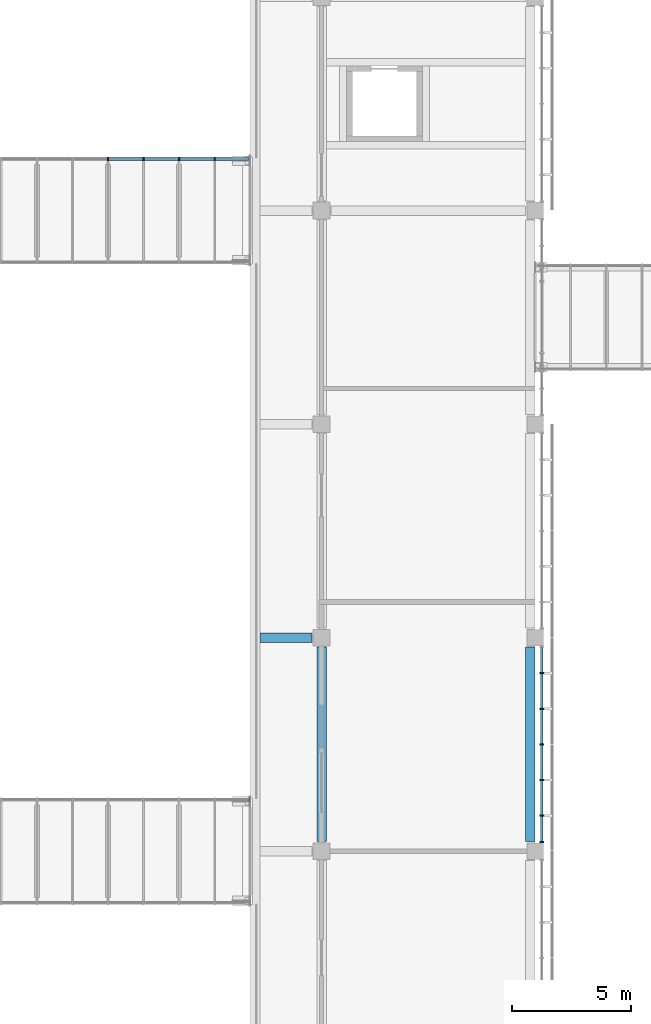
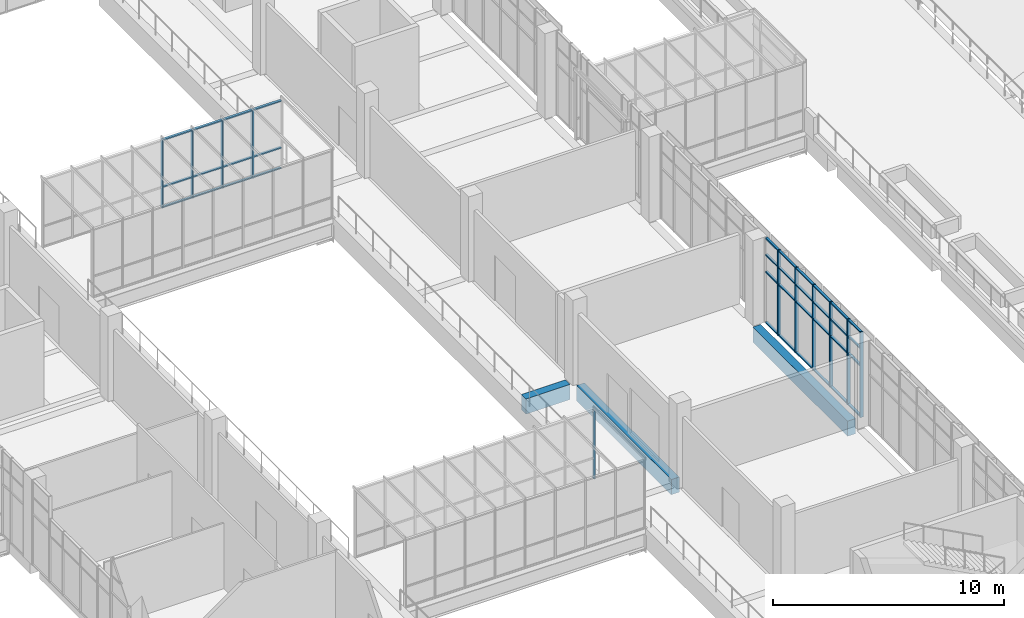
# One storey, part 22 of 106: 47 members, 3 beams, 3 elements without a shape of their own.
"""IFC4 building model written with IfcOpenShell, lengths in metres."""

from ifc_helpers import new_model, si_unit, direction, frame, origin, origin_2d, place, context, subcontext, project, spatial, rectangle, extrude, material, layer, layer_set, material_profile, profile_set, type_object, element, aggregate, save


model = new_model("IFC4")

# Units and contexts
model_context = context("Model", 3, precision=1e-05, world=origin(), true_north=direction((0.0, 1.0)))
body_context = subcontext(model_context, "Body", "Model", "MODEL_VIEW")
ifc_project = project(units=[si_unit("LENGTHUNIT", "METRE"), si_unit("AREAUNIT", "SQUARE_METRE"), si_unit("VOLUMEUNIT", "CUBIC_METRE"), si_unit("PLANEANGLEUNIT", "RADIAN"), si_unit("MASSUNIT", "GRAM", prefix="KILO")], contexts=[model_context])

# Site, building, storey
site_placement = place(None, origin())
site = spatial("IfcSite", under=ifc_project, at=site_placement, CompositionType="ELEMENT")
building_placement = place(site_placement, origin())
building = spatial("IfcBuilding", under=site, at=building_placement, Name="Guidao Yard Department Store", CompositionType="ELEMENT")
storey_placement = place(building_placement, frame((0.0, 0.0, 10.5)))
storey = spatial("IfcBuildingStorey", under=building, at=storey_placement, Name="L02", CompositionType="ELEMENT", Elevation=10.5)

# Beams
ifc_material_1 = material(Name="Concrete C40", Category="concrete")
ifc_material_profile_1 = material_profile(ifc_material_1, rectangle(XDim=0.39990234375, YDim=0.800048828125, at=origin_2d()), Name="Edge beam 400 x 800 C40")
ifc_profile_set_1 = profile_set([ifc_material_profile_1], Name="Concrete C40")
beam_type_1 = type_object("IfcBeamType", Name="Edge beam 400 x 800 C40", PredefinedType="BEAM", material=ifc_profile_set_1)
beam_1_placement = place(storey_placement, frame((99.0, 63.39990234375, -0.39990234375), z_axis=(0.0, 1.0, 0.0), x_axis=(-1.0, 0.0, 0.0)))
element("IfcBeam", 1, at=beam_1_placement, inside=storey, type_object=beam_type_1, Name="Beam EB51", PredefinedType="BEAM", context=body_context, shape_type="SweptSolid", body=[
    extrude(rectangle(XDim=0.39990234375, YDim=0.800048828125, at=origin_2d()), origin(), (0.0, 0.0, 1.0), 8.2001953125),
])
beam_2_placement = place(storey_placement, frame((96.39990234375, 72.0, -0.39990234375), z_axis=(1.0, 0.0, 0.0), x_axis=(0.0, 1.0, 0.0)))
element("IfcBeam", 2, at=beam_2_placement, inside=storey, type_object=beam_type_1, Name="Beam EB58", PredefinedType="BEAM", context=body_context, shape_type="SweptSolid", body=[
    extrude(rectangle(XDim=0.39990234375, YDim=0.800048828125, at=origin_2d()), origin(), (0.0, 0.0, 1.0), 2.2001953125),
])

# Curtain wall, members
ifc_material_2 = material(Name="Aluminium and glass", Category="aluminium")
ifc_layer_1 = layer(ifc_material_2, 0.159912109375)
ifc_layer_set_1 = layer_set([ifc_layer_1], Name="Shopfront curtain wall CW1 1500 module")
curtain_wall_type_1 = type_object("IfcCurtainWallType", Name="Shopfront curtain wall CW1 1500 module", PredefinedType="NOTDEFINED", material=ifc_layer_set_1)
curtain_wall_1_placement = place(storey_placement, origin())
curtain_wall_1 = element("IfcCurtainWall", 3, at=curtain_wall_1_placement, inside=storey, type_object=curtain_wall_type_1, Name="Arcade shop front", PredefinedType="NOTDEFINED")
ifc_material_3 = material(Name="Aluminium 6063-T5", Category="aluminium")
ifc_material_profile_2 = material_profile(ifc_material_3, rectangle(XDim=0.06005859375, YDim=0.159912109375, at=origin_2d()), Name="Mullion M1 60 x 160 aluminium pressure plate")
ifc_profile_set_2 = profile_set([ifc_material_profile_2], Name="Aluminium 6063-T5")
member_type_1 = type_object("IfcMemberType", Name="Mullion M1 60 x 160 aluminium pressure plate", PredefinedType="MULLION", material=ifc_profile_set_2)
member_1_placement = place(storey_placement, frame((108.280029296875, 63.3798828125, 0.0), z_axis=(0.0, 0.0, 1.0), x_axis=(0.0, -1.0, 0.0)))
member_1 = element("IfcMember", 4, at=member_1_placement, type_object=member_type_1, Name="CW-AS-L02-16 mullion 1", PredefinedType="MULLION", context=body_context, shape_type="SweptSolid", body=[
    extrude(rectangle(XDim=0.06005859375, YDim=0.159912109375, at=origin_2d()), origin(), (0.0, 0.0, 1.0), 4.5),
])
member_2_placement = place(storey_placement, frame((108.280029296875, 64.5, 0.0), z_axis=(0.0, 0.0, 1.0), x_axis=(0.0, -1.0, 0.0)))
member_2 = element("IfcMember", 5, at=member_2_placement, type_object=member_type_1, Name="CW-AS-L02-16 mullion 2", PredefinedType="MULLION", context=body_context, shape_type="SweptSolid", body=[
    extrude(rectangle(XDim=0.06005859375, YDim=0.159912109375, at=origin_2d()), origin(), (0.0, 0.0, 1.0), 4.5),
])
member_3_placement = place(storey_placement, frame((108.280029296875, 66.0, 0.0), z_axis=(0.0, 0.0, 1.0), x_axis=(0.0, -1.0, 0.0)))
member_3 = element("IfcMember", 6, at=member_3_placement, type_object=member_type_1, Name="CW-AS-L02-16 mullion 3", PredefinedType="MULLION", context=body_context, shape_type="SweptSolid", body=[
    extrude(rectangle(XDim=0.06005859375, YDim=0.159912109375, at=origin_2d()), origin(), (0.0, 0.0, 1.0), 4.5),
])
member_4_placement = place(storey_placement, frame((108.280029296875, 67.5, 0.0), z_axis=(0.0, 0.0, 1.0), x_axis=(0.0, -1.0, 0.0)))
member_4 = element("IfcMember", 7, at=member_4_placement, type_object=member_type_1, Name="CW-AS-L02-16 mullion 4", PredefinedType="MULLION", context=body_context, shape_type="SweptSolid", body=[
    extrude(rectangle(XDim=0.06005859375, YDim=0.159912109375, at=origin_2d()), origin(), (0.0, 0.0, 1.0), 4.5),
])
member_5_placement = place(storey_placement, frame((108.280029296875, 69.0, 0.0), z_axis=(0.0, 0.0, 1.0), x_axis=(0.0, -1.0, 0.0)))
member_5 = element("IfcMember", 8, at=member_5_placement, type_object=member_type_1, Name="CW-AS-L02-16 mullion 5", PredefinedType="MULLION", context=body_context, shape_type="SweptSolid", body=[
    extrude(rectangle(XDim=0.06005859375, YDim=0.159912109375, at=origin_2d()), origin(), (0.0, 0.0, 1.0), 4.5),
])
member_6_placement = place(storey_placement, frame((108.280029296875, 70.5, 0.0), z_axis=(0.0, 0.0, 1.0), x_axis=(0.0, -1.0, 0.0)))
member_6 = element("IfcMember", 9, at=member_6_placement, type_object=member_type_1, Name="CW-AS-L02-16 mullion 6", PredefinedType="MULLION", context=body_context, shape_type="SweptSolid", body=[
    extrude(rectangle(XDim=0.06005859375, YDim=0.159912109375, at=origin_2d()), origin(), (0.0, 0.0, 1.0), 4.5),
])

# Curtain wall, member
ifc_material_4 = material(Name="Aluminium and glass", Category="aluminium")
ifc_layer_2 = layer(ifc_material_4, 0.159912109375)
ifc_layer_set_2 = layer_set([ifc_layer_2], Name="Bridge glazing CW5 1500 module")
curtain_wall_type_2 = type_object("IfcCurtainWallType", Name="Bridge glazing CW5 1500 module", PredefinedType="NOTDEFINED", material=ifc_layer_set_2)
curtain_wall_2_placement = place(storey_placement, origin())
curtain_wall_2 = element("IfcCurtainWall", 10, at=curtain_wall_2_placement, inside=storey, type_object=curtain_wall_type_2, Name="Bridge glazing BR11 N", PredefinedType="NOTDEFINED")
member_7_placement = place(storey_placement, frame((95.955078125, 65.169921875, 0.0), z_axis=(0.0, 0.0, 1.0), x_axis=(1.0, 0.0, 0.0)))
member_7 = element("IfcMember", 11, at=member_7_placement, type_object=member_type_1, Name="CW-N-L02-09 mullion 9", PredefinedType="MULLION", context=body_context, shape_type="SweptSolid", body=[
    extrude(rectangle(XDim=0.06005859375, YDim=0.159912109375, at=origin_2d()), origin(), (0.0, 0.0, 1.0), 3.60009765625),
])
aggregate(curtain_wall_2, [member_7])

# Curtain wall, members
curtain_wall_3_placement = place(storey_placement, origin())
curtain_wall_3 = element("IfcCurtainWall", 12, at=curtain_wall_3_placement, inside=storey, type_object=curtain_wall_type_2, Name="Bridge glazing BR12 N", PredefinedType="NOTDEFINED")
member_8_placement = place(storey_placement, frame((90.0, 92.169921875, 0.0), z_axis=(0.0, 0.0, 1.0), x_axis=(1.0, 0.0, 0.0)))
member_8 = element("IfcMember", 13, at=member_8_placement, type_object=member_type_1, Name="CW-N-L02-11 mullion 5", PredefinedType="MULLION", context=body_context, shape_type="SweptSolid", body=[
    extrude(rectangle(XDim=0.06005859375, YDim=0.159912109375, at=origin_2d()), origin(), (0.0, 0.0, 1.0), 3.60009765625),
])
member_9_placement = place(storey_placement, frame((91.5, 92.169921875, 0.0), z_axis=(0.0, 0.0, 1.0), x_axis=(1.0, 0.0, 0.0)))
member_9 = element("IfcMember", 14, at=member_9_placement, type_object=member_type_1, Name="CW-N-L02-11 mullion 6", PredefinedType="MULLION", context=body_context, shape_type="SweptSolid", body=[
    extrude(rectangle(XDim=0.06005859375, YDim=0.159912109375, at=origin_2d()), origin(), (0.0, 0.0, 1.0), 3.60009765625),
])
member_10_placement = place(storey_placement, frame((93.0, 92.169921875, 0.0), z_axis=(0.0, 0.0, 1.0), x_axis=(1.0, 0.0, 0.0)))
member_10 = element("IfcMember", 15, at=member_10_placement, type_object=member_type_1, Name="CW-N-L02-11 mullion 7", PredefinedType="MULLION", context=body_context, shape_type="SweptSolid", body=[
    extrude(rectangle(XDim=0.06005859375, YDim=0.159912109375, at=origin_2d()), origin(), (0.0, 0.0, 1.0), 3.60009765625),
])
member_11_placement = place(storey_placement, frame((94.5, 92.169921875, 0.0), z_axis=(0.0, 0.0, 1.0), x_axis=(1.0, 0.0, 0.0)))
member_11 = element("IfcMember", 16, at=member_11_placement, type_object=member_type_1, Name="CW-N-L02-11 mullion 8", PredefinedType="MULLION", context=body_context, shape_type="SweptSolid", body=[
    extrude(rectangle(XDim=0.06005859375, YDim=0.159912109375, at=origin_2d()), origin(), (0.0, 0.0, 1.0), 3.60009765625),
])

# Beam
ifc_material_5 = material(Name="Concrete C40", Category="concrete")
ifc_material_profile_3 = material_profile(ifc_material_5, rectangle(XDim=0.39990234375, YDim=0.800048828125, at=origin_2d()), Name="Spandrel beam 400 x 800 C40")
ifc_profile_set_3 = profile_set([ifc_material_profile_3], Name="Concrete C40")
beam_type_2 = type_object("IfcBeamType", Name="Spandrel beam 400 x 800 C40", PredefinedType="SPANDREL", material=ifc_profile_set_3)
beam_3_placement = place(storey_placement, frame((107.800048828125, 63.39990234375, -0.39990234375), z_axis=(0.0, 1.0, 0.0), x_axis=(-1.0, 0.0, 0.0)))
element("IfcBeam", 17, at=beam_3_placement, inside=storey, type_object=beam_type_2, Name="Beam EB46", PredefinedType="SPANDREL", context=body_context, shape_type="SweptSolid", body=[
    extrude(rectangle(XDim=0.39990234375, YDim=0.800048828125, at=origin_2d()), origin(), (0.0, 0.0, 1.0), 8.2001953125),
])

# Member
ifc_material_6 = material(Name="Aluminium 6063-T5", Category="aluminium")
ifc_material_profile_4 = material_profile(ifc_material_6, rectangle(XDim=0.1201171875, YDim=0.06005859375, at=origin_2d()), Name="Transom T1 60 x 120 aluminium pressure plate")
ifc_profile_set_4 = profile_set([ifc_material_profile_4], Name="Aluminium 6063-T5")
member_type_2 = type_object("IfcMemberType", Name="Transom T1 60 x 120 aluminium pressure plate", PredefinedType="USERDEFINED", material=ifc_profile_set_4)
member_12_placement = place(storey_placement, frame((108.280029296875, 64.469970703125, 0.030029296875), z_axis=(0.0, -1.0, 0.0), x_axis=(1.0, 0.0, 0.0)))
member_12 = element("IfcMember", 18, at=member_12_placement, type_object=member_type_2, Name="CW-AS-L02-16 transom 1.1", ObjectType="TRANSOM", PredefinedType="USERDEFINED", context=body_context, shape_type="SweptSolid", body=[
    extrude(rectangle(XDim=0.1201171875, YDim=0.06005859375, at=origin_2d()), origin(), (0.0, 0.0, 1.0), 1.06005859375),
])

member_13_placement = place(storey_placement, frame((108.280029296875, 64.469970703125, 2.699951171875), z_axis=(0.0, -1.0, 0.0), x_axis=(1.0, 0.0, 0.0)))
member_13 = element("IfcMember", 19, at=member_13_placement, type_object=member_type_2, Name="CW-AS-L02-16 transom 1.2", ObjectType="TRANSOM", PredefinedType="USERDEFINED", context=body_context, shape_type="SweptSolid", body=[
    extrude(rectangle(XDim=0.1201171875, YDim=0.06005859375, at=origin_2d()), origin(), (0.0, 0.0, 1.0), 1.06005859375),
])

member_14_placement = place(storey_placement, frame((108.280029296875, 64.469970703125, 3.60009765625), z_axis=(0.0, -1.0, 0.0), x_axis=(1.0, 0.0, 0.0)))
member_14 = element("IfcMember", 20, at=member_14_placement, type_object=member_type_2, Name="CW-AS-L02-16 transom 1.3", ObjectType="TRANSOM", PredefinedType="USERDEFINED", context=body_context, shape_type="SweptSolid", body=[
    extrude(rectangle(XDim=0.1201171875, YDim=0.06005859375, at=origin_2d()), origin(), (0.0, 0.0, 1.0), 1.06005859375),
])

member_15_placement = place(storey_placement, frame((108.280029296875, 64.469970703125, 4.469970703125), z_axis=(0.0, -1.0, 0.0), x_axis=(1.0, 0.0, 0.0)))
member_15 = element("IfcMember", 21, at=member_15_placement, type_object=member_type_2, Name="CW-AS-L02-16 transom 1.4", ObjectType="TRANSOM", PredefinedType="USERDEFINED", context=body_context, shape_type="SweptSolid", body=[
    extrude(rectangle(XDim=0.1201171875, YDim=0.06005859375, at=origin_2d()), origin(), (0.0, 0.0, 1.0), 1.06005859375),
])

member_16_placement = place(storey_placement, frame((108.280029296875, 65.969970703125, 0.030029296875), z_axis=(0.0, -1.0, 0.0), x_axis=(1.0, 0.0, 0.0)))
member_16 = element("IfcMember", 22, at=member_16_placement, type_object=member_type_2, Name="CW-AS-L02-16 transom 2.1", ObjectType="TRANSOM", PredefinedType="USERDEFINED", context=body_context, shape_type="SweptSolid", body=[
    extrude(rectangle(XDim=0.1201171875, YDim=0.06005859375, at=origin_2d()), origin(), (0.0, 0.0, 1.0), 1.43994140625),
])

member_17_placement = place(storey_placement, frame((108.280029296875, 65.969970703125, 2.699951171875), z_axis=(0.0, -1.0, 0.0), x_axis=(1.0, 0.0, 0.0)))
member_17 = element("IfcMember", 23, at=member_17_placement, type_object=member_type_2, Name="CW-AS-L02-16 transom 2.2", ObjectType="TRANSOM", PredefinedType="USERDEFINED", context=body_context, shape_type="SweptSolid", body=[
    extrude(rectangle(XDim=0.1201171875, YDim=0.06005859375, at=origin_2d()), origin(), (0.0, 0.0, 1.0), 1.43994140625),
])

member_18_placement = place(storey_placement, frame((108.280029296875, 65.969970703125, 3.60009765625), z_axis=(0.0, -1.0, 0.0), x_axis=(1.0, 0.0, 0.0)))
member_18 = element("IfcMember", 24, at=member_18_placement, type_object=member_type_2, Name="CW-AS-L02-16 transom 2.3", ObjectType="TRANSOM", PredefinedType="USERDEFINED", context=body_context, shape_type="SweptSolid", body=[
    extrude(rectangle(XDim=0.1201171875, YDim=0.06005859375, at=origin_2d()), origin(), (0.0, 0.0, 1.0), 1.43994140625),
])

member_19_placement = place(storey_placement, frame((108.280029296875, 65.969970703125, 4.469970703125), z_axis=(0.0, -1.0, 0.0), x_axis=(1.0, 0.0, 0.0)))
member_19 = element("IfcMember", 25, at=member_19_placement, type_object=member_type_2, Name="CW-AS-L02-16 transom 2.4", ObjectType="TRANSOM", PredefinedType="USERDEFINED", context=body_context, shape_type="SweptSolid", body=[
    extrude(rectangle(XDim=0.1201171875, YDim=0.06005859375, at=origin_2d()), origin(), (0.0, 0.0, 1.0), 1.43994140625),
])

member_20_placement = place(storey_placement, frame((108.280029296875, 67.469970703125, 0.030029296875), z_axis=(0.0, -1.0, 0.0), x_axis=(1.0, 0.0, 0.0)))
member_20 = element("IfcMember", 26, at=member_20_placement, type_object=member_type_2, Name="CW-AS-L02-16 transom 3.1", ObjectType="TRANSOM", PredefinedType="USERDEFINED", context=body_context, shape_type="SweptSolid", body=[
    extrude(rectangle(XDim=0.1201171875, YDim=0.06005859375, at=origin_2d()), origin(), (0.0, 0.0, 1.0), 1.43994140625),
])

member_21_placement = place(storey_placement, frame((108.280029296875, 67.469970703125, 2.699951171875), z_axis=(0.0, -1.0, 0.0), x_axis=(1.0, 0.0, 0.0)))
member_21 = element("IfcMember", 27, at=member_21_placement, type_object=member_type_2, Name="CW-AS-L02-16 transom 3.2", ObjectType="TRANSOM", PredefinedType="USERDEFINED", context=body_context, shape_type="SweptSolid", body=[
    extrude(rectangle(XDim=0.1201171875, YDim=0.06005859375, at=origin_2d()), origin(), (0.0, 0.0, 1.0), 1.43994140625),
])

member_22_placement = place(storey_placement, frame((108.280029296875, 67.469970703125, 3.60009765625), z_axis=(0.0, -1.0, 0.0), x_axis=(1.0, 0.0, 0.0)))
member_22 = element("IfcMember", 28, at=member_22_placement, type_object=member_type_2, Name="CW-AS-L02-16 transom 3.3", ObjectType="TRANSOM", PredefinedType="USERDEFINED", context=body_context, shape_type="SweptSolid", body=[
    extrude(rectangle(XDim=0.1201171875, YDim=0.06005859375, at=origin_2d()), origin(), (0.0, 0.0, 1.0), 1.43994140625),
])

member_23_placement = place(storey_placement, frame((108.280029296875, 67.469970703125, 4.469970703125), z_axis=(0.0, -1.0, 0.0), x_axis=(1.0, 0.0, 0.0)))
member_23 = element("IfcMember", 29, at=member_23_placement, type_object=member_type_2, Name="CW-AS-L02-16 transom 3.4", ObjectType="TRANSOM", PredefinedType="USERDEFINED", context=body_context, shape_type="SweptSolid", body=[
    extrude(rectangle(XDim=0.1201171875, YDim=0.06005859375, at=origin_2d()), origin(), (0.0, 0.0, 1.0), 1.43994140625),
])

member_24_placement = place(storey_placement, frame((108.280029296875, 68.969970703125, 0.030029296875), z_axis=(0.0, -1.0, 0.0), x_axis=(1.0, 0.0, 0.0)))
member_24 = element("IfcMember", 30, at=member_24_placement, type_object=member_type_2, Name="CW-AS-L02-16 transom 4.1", ObjectType="TRANSOM", PredefinedType="USERDEFINED", context=body_context, shape_type="SweptSolid", body=[
    extrude(rectangle(XDim=0.1201171875, YDim=0.06005859375, at=origin_2d()), origin(), (0.0, 0.0, 1.0), 1.43994140625),
])

member_25_placement = place(storey_placement, frame((108.280029296875, 68.969970703125, 2.699951171875), z_axis=(0.0, -1.0, 0.0), x_axis=(1.0, 0.0, 0.0)))
member_25 = element("IfcMember", 31, at=member_25_placement, type_object=member_type_2, Name="CW-AS-L02-16 transom 4.2", ObjectType="TRANSOM", PredefinedType="USERDEFINED", context=body_context, shape_type="SweptSolid", body=[
    extrude(rectangle(XDim=0.1201171875, YDim=0.06005859375, at=origin_2d()), origin(), (0.0, 0.0, 1.0), 1.43994140625),
])

member_26_placement = place(storey_placement, frame((108.280029296875, 68.969970703125, 3.60009765625), z_axis=(0.0, -1.0, 0.0), x_axis=(1.0, 0.0, 0.0)))
member_26 = element("IfcMember", 32, at=member_26_placement, type_object=member_type_2, Name="CW-AS-L02-16 transom 4.3", ObjectType="TRANSOM", PredefinedType="USERDEFINED", context=body_context, shape_type="SweptSolid", body=[
    extrude(rectangle(XDim=0.1201171875, YDim=0.06005859375, at=origin_2d()), origin(), (0.0, 0.0, 1.0), 1.43994140625),
])

member_27_placement = place(storey_placement, frame((108.280029296875, 68.969970703125, 4.469970703125), z_axis=(0.0, -1.0, 0.0), x_axis=(1.0, 0.0, 0.0)))
member_27 = element("IfcMember", 33, at=member_27_placement, type_object=member_type_2, Name="CW-AS-L02-16 transom 4.4", ObjectType="TRANSOM", PredefinedType="USERDEFINED", context=body_context, shape_type="SweptSolid", body=[
    extrude(rectangle(XDim=0.1201171875, YDim=0.06005859375, at=origin_2d()), origin(), (0.0, 0.0, 1.0), 1.43994140625),
])

member_28_placement = place(storey_placement, frame((108.280029296875, 70.469970703125, 0.030029296875), z_axis=(0.0, -1.0, 0.0), x_axis=(1.0, 0.0, 0.0)))
member_28 = element("IfcMember", 34, at=member_28_placement, type_object=member_type_2, Name="CW-AS-L02-16 transom 5.1", ObjectType="TRANSOM", PredefinedType="USERDEFINED", context=body_context, shape_type="SweptSolid", body=[
    extrude(rectangle(XDim=0.1201171875, YDim=0.06005859375, at=origin_2d()), origin(), (0.0, 0.0, 1.0), 1.43994140625),
])

member_29_placement = place(storey_placement, frame((108.280029296875, 70.469970703125, 2.699951171875), z_axis=(0.0, -1.0, 0.0), x_axis=(1.0, 0.0, 0.0)))
member_29 = element("IfcMember", 35, at=member_29_placement, type_object=member_type_2, Name="CW-AS-L02-16 transom 5.2", ObjectType="TRANSOM", PredefinedType="USERDEFINED", context=body_context, shape_type="SweptSolid", body=[
    extrude(rectangle(XDim=0.1201171875, YDim=0.06005859375, at=origin_2d()), origin(), (0.0, 0.0, 1.0), 1.43994140625),
])

member_30_placement = place(storey_placement, frame((108.280029296875, 70.469970703125, 3.60009765625), z_axis=(0.0, -1.0, 0.0), x_axis=(1.0, 0.0, 0.0)))
member_30 = element("IfcMember", 36, at=member_30_placement, type_object=member_type_2, Name="CW-AS-L02-16 transom 5.3", ObjectType="TRANSOM", PredefinedType="USERDEFINED", context=body_context, shape_type="SweptSolid", body=[
    extrude(rectangle(XDim=0.1201171875, YDim=0.06005859375, at=origin_2d()), origin(), (0.0, 0.0, 1.0), 1.43994140625),
])

member_31_placement = place(storey_placement, frame((108.280029296875, 70.469970703125, 4.469970703125), z_axis=(0.0, -1.0, 0.0), x_axis=(1.0, 0.0, 0.0)))
member_31 = element("IfcMember", 37, at=member_31_placement, type_object=member_type_2, Name="CW-AS-L02-16 transom 5.4", ObjectType="TRANSOM", PredefinedType="USERDEFINED", context=body_context, shape_type="SweptSolid", body=[
    extrude(rectangle(XDim=0.1201171875, YDim=0.06005859375, at=origin_2d()), origin(), (0.0, 0.0, 1.0), 1.43994140625),
])

member_32_placement = place(storey_placement, frame((108.280029296875, 71.590087890625, 0.030029296875), z_axis=(0.0, -1.0, 0.0), x_axis=(1.0, 0.0, 0.0)))
member_32 = element("IfcMember", 38, at=member_32_placement, type_object=member_type_2, Name="CW-AS-L02-16 transom 6.1", ObjectType="TRANSOM", PredefinedType="USERDEFINED", context=body_context, shape_type="SweptSolid", body=[
    extrude(rectangle(XDim=0.1201171875, YDim=0.06005859375, at=origin_2d()), origin(), (0.0, 0.0, 1.0), 1.06005859375),
])

member_33_placement = place(storey_placement, frame((108.280029296875, 71.590087890625, 2.699951171875), z_axis=(0.0, -1.0, 0.0), x_axis=(1.0, 0.0, 0.0)))
member_33 = element("IfcMember", 39, at=member_33_placement, type_object=member_type_2, Name="CW-AS-L02-16 transom 6.2", ObjectType="TRANSOM", PredefinedType="USERDEFINED", context=body_context, shape_type="SweptSolid", body=[
    extrude(rectangle(XDim=0.1201171875, YDim=0.06005859375, at=origin_2d()), origin(), (0.0, 0.0, 1.0), 1.06005859375),
])

member_34_placement = place(storey_placement, frame((108.280029296875, 71.590087890625, 3.60009765625), z_axis=(0.0, -1.0, 0.0), x_axis=(1.0, 0.0, 0.0)))
member_34 = element("IfcMember", 40, at=member_34_placement, type_object=member_type_2, Name="CW-AS-L02-16 transom 6.3", ObjectType="TRANSOM", PredefinedType="USERDEFINED", context=body_context, shape_type="SweptSolid", body=[
    extrude(rectangle(XDim=0.1201171875, YDim=0.06005859375, at=origin_2d()), origin(), (0.0, 0.0, 1.0), 1.06005859375),
])

member_35_placement = place(storey_placement, frame((108.280029296875, 71.590087890625, 4.469970703125), z_axis=(0.0, -1.0, 0.0), x_axis=(1.0, 0.0, 0.0)))
member_35 = element("IfcMember", 41, at=member_35_placement, type_object=member_type_2, Name="CW-AS-L02-16 transom 6.4", ObjectType="TRANSOM", PredefinedType="USERDEFINED", context=body_context, shape_type="SweptSolid", body=[
    extrude(rectangle(XDim=0.1201171875, YDim=0.06005859375, at=origin_2d()), origin(), (0.0, 0.0, 1.0), 1.06005859375),
])

aggregate(curtain_wall_1, [member_1, member_2, member_3, member_4, member_5, member_6, member_12, member_13, member_14, member_15, member_16, member_17, member_18, member_19, member_20, member_21, member_22, member_23, member_24, member_25, member_26, member_27, member_28, member_29, member_30, member_31, member_32, member_33, member_34, member_35])

member_36_placement = place(storey_placement, frame((90.030029296875, 92.169921875, 0.030029296875), z_axis=(1.0, 0.0, 0.0), x_axis=(0.0, 1.0, 0.0)))
member_36 = element("IfcMember", 42, at=member_36_placement, type_object=member_type_2, Name="CW-N-L02-11 transom 5.1", ObjectType="TRANSOM", PredefinedType="USERDEFINED", context=body_context, shape_type="SweptSolid", body=[
    extrude(rectangle(XDim=0.1201171875, YDim=0.06005859375, at=origin_2d()), origin(), (0.0, 0.0, 1.0), 1.43994140625),
])

member_37_placement = place(storey_placement, frame((90.030029296875, 92.169921875, 1.10009765625), z_axis=(1.0, 0.0, 0.0), x_axis=(0.0, 1.0, 0.0)))
member_37 = element("IfcMember", 43, at=member_37_placement, type_object=member_type_2, Name="CW-N-L02-11 transom 5.2", ObjectType="TRANSOM", PredefinedType="USERDEFINED", context=body_context, shape_type="SweptSolid", body=[
    extrude(rectangle(XDim=0.1201171875, YDim=0.06005859375, at=origin_2d()), origin(), (0.0, 0.0, 1.0), 1.43994140625),
])

member_38_placement = place(storey_placement, frame((90.030029296875, 92.169921875, 3.570068359375), z_axis=(1.0, 0.0, 0.0), x_axis=(0.0, 1.0, 0.0)))
member_38 = element("IfcMember", 44, at=member_38_placement, type_object=member_type_2, Name="CW-N-L02-11 transom 5.3", ObjectType="TRANSOM", PredefinedType="USERDEFINED", context=body_context, shape_type="SweptSolid", body=[
    extrude(rectangle(XDim=0.1201171875, YDim=0.06005859375, at=origin_2d()), origin(), (0.0, 0.0, 1.0), 1.43994140625),
])

member_39_placement = place(storey_placement, frame((91.530029296875, 92.169921875, 0.030029296875), z_axis=(1.0, 0.0, 0.0), x_axis=(0.0, 1.0, 0.0)))
member_39 = element("IfcMember", 45, at=member_39_placement, type_object=member_type_2, Name="CW-N-L02-11 transom 6.1", ObjectType="TRANSOM", PredefinedType="USERDEFINED", context=body_context, shape_type="SweptSolid", body=[
    extrude(rectangle(XDim=0.1201171875, YDim=0.06005859375, at=origin_2d()), origin(), (0.0, 0.0, 1.0), 1.43994140625),
])

member_40_placement = place(storey_placement, frame((91.530029296875, 92.169921875, 1.10009765625), z_axis=(1.0, 0.0, 0.0), x_axis=(0.0, 1.0, 0.0)))
member_40 = element("IfcMember", 46, at=member_40_placement, type_object=member_type_2, Name="CW-N-L02-11 transom 6.2", ObjectType="TRANSOM", PredefinedType="USERDEFINED", context=body_context, shape_type="SweptSolid", body=[
    extrude(rectangle(XDim=0.1201171875, YDim=0.06005859375, at=origin_2d()), origin(), (0.0, 0.0, 1.0), 1.43994140625),
])

member_41_placement = place(storey_placement, frame((91.530029296875, 92.169921875, 3.570068359375), z_axis=(1.0, 0.0, 0.0), x_axis=(0.0, 1.0, 0.0)))
member_41 = element("IfcMember", 47, at=member_41_placement, type_object=member_type_2, Name="CW-N-L02-11 transom 6.3", ObjectType="TRANSOM", PredefinedType="USERDEFINED", context=body_context, shape_type="SweptSolid", body=[
    extrude(rectangle(XDim=0.1201171875, YDim=0.06005859375, at=origin_2d()), origin(), (0.0, 0.0, 1.0), 1.43994140625),
])

member_42_placement = place(storey_placement, frame((93.030029296875, 92.169921875, 0.030029296875), z_axis=(1.0, 0.0, 0.0), x_axis=(0.0, 1.0, 0.0)))
member_42 = element("IfcMember", 48, at=member_42_placement, type_object=member_type_2, Name="CW-N-L02-11 transom 7.1", ObjectType="TRANSOM", PredefinedType="USERDEFINED", context=body_context, shape_type="SweptSolid", body=[
    extrude(rectangle(XDim=0.1201171875, YDim=0.06005859375, at=origin_2d()), origin(), (0.0, 0.0, 1.0), 1.43994140625),
])

member_43_placement = place(storey_placement, frame((93.030029296875, 92.169921875, 1.10009765625), z_axis=(1.0, 0.0, 0.0), x_axis=(0.0, 1.0, 0.0)))
member_43 = element("IfcMember", 49, at=member_43_placement, type_object=member_type_2, Name="CW-N-L02-11 transom 7.2", ObjectType="TRANSOM", PredefinedType="USERDEFINED", context=body_context, shape_type="SweptSolid", body=[
    extrude(rectangle(XDim=0.1201171875, YDim=0.06005859375, at=origin_2d()), origin(), (0.0, 0.0, 1.0), 1.43994140625),
])

member_44_placement = place(storey_placement, frame((93.030029296875, 92.169921875, 3.570068359375), z_axis=(1.0, 0.0, 0.0), x_axis=(0.0, 1.0, 0.0)))
member_44 = element("IfcMember", 50, at=member_44_placement, type_object=member_type_2, Name="CW-N-L02-11 transom 7.3", ObjectType="TRANSOM", PredefinedType="USERDEFINED", context=body_context, shape_type="SweptSolid", body=[
    extrude(rectangle(XDim=0.1201171875, YDim=0.06005859375, at=origin_2d()), origin(), (0.0, 0.0, 1.0), 1.43994140625),
])

member_45_placement = place(storey_placement, frame((94.530029296875, 92.169921875, 0.030029296875), z_axis=(1.0, 0.0, 0.0), x_axis=(0.0, 1.0, 0.0)))
member_45 = element("IfcMember", 51, at=member_45_placement, type_object=member_type_2, Name="CW-N-L02-11 transom 8.1", ObjectType="TRANSOM", PredefinedType="USERDEFINED", context=body_context, shape_type="SweptSolid", body=[
    extrude(rectangle(XDim=0.1201171875, YDim=0.06005859375, at=origin_2d()), origin(), (0.0, 0.0, 1.0), 1.39501953125),
])

member_46_placement = place(storey_placement, frame((94.530029296875, 92.169921875, 1.10009765625), z_axis=(1.0, 0.0, 0.0), x_axis=(0.0, 1.0, 0.0)))
member_46 = element("IfcMember", 52, at=member_46_placement, type_object=member_type_2, Name="CW-N-L02-11 transom 8.2", ObjectType="TRANSOM", PredefinedType="USERDEFINED", context=body_context, shape_type="SweptSolid", body=[
    extrude(rectangle(XDim=0.1201171875, YDim=0.06005859375, at=origin_2d()), origin(), (0.0, 0.0, 1.0), 1.39501953125),
])

member_47_placement = place(storey_placement, frame((94.530029296875, 92.169921875, 3.570068359375), z_axis=(1.0, 0.0, 0.0), x_axis=(0.0, 1.0, 0.0)))
member_47 = element("IfcMember", 53, at=member_47_placement, type_object=member_type_2, Name="CW-N-L02-11 transom 8.3", ObjectType="TRANSOM", PredefinedType="USERDEFINED", context=body_context, shape_type="SweptSolid", body=[
    extrude(rectangle(XDim=0.1201171875, YDim=0.06005859375, at=origin_2d()), origin(), (0.0, 0.0, 1.0), 1.39501953125),
])

aggregate(curtain_wall_3, [member_8, member_9, member_10, member_11, member_36, member_37, member_38, member_39, member_40, member_41, member_42, member_43, member_44, member_45, member_46, member_47])

save(model, "model.ifc")
